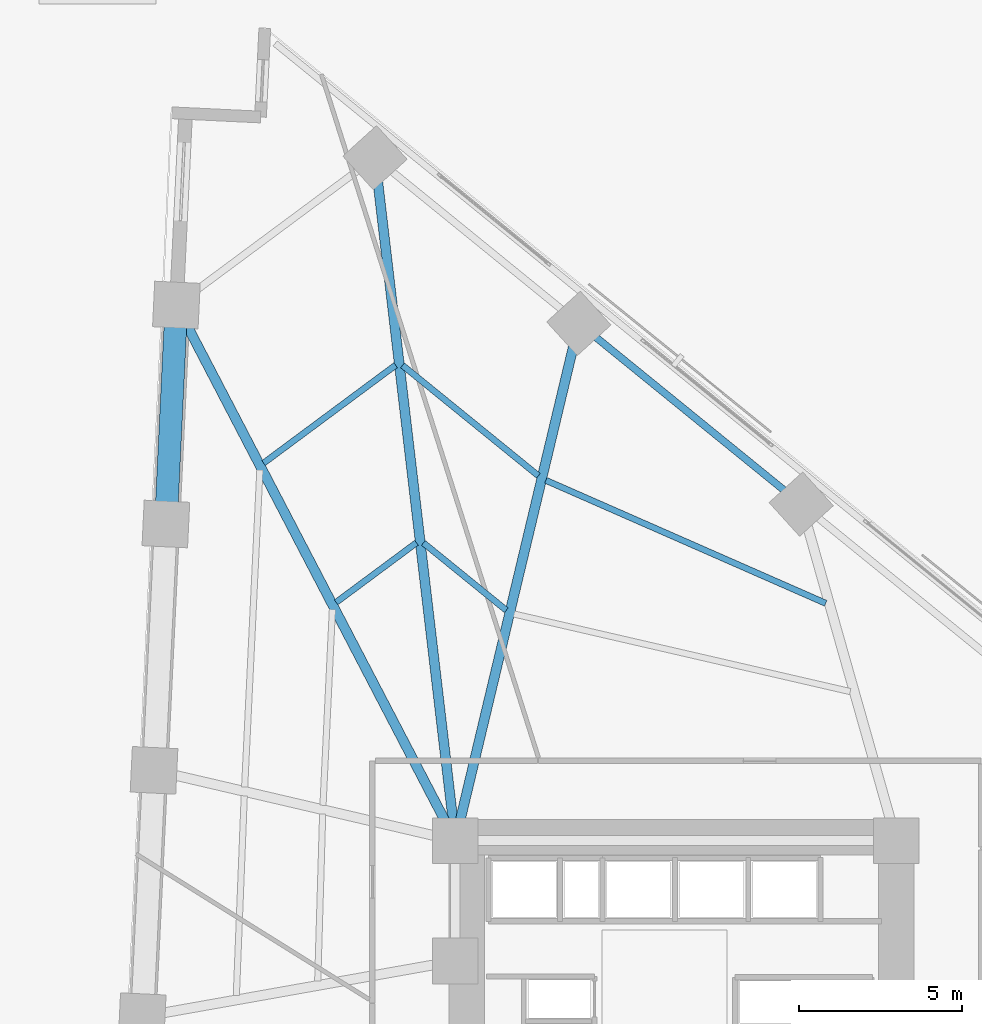
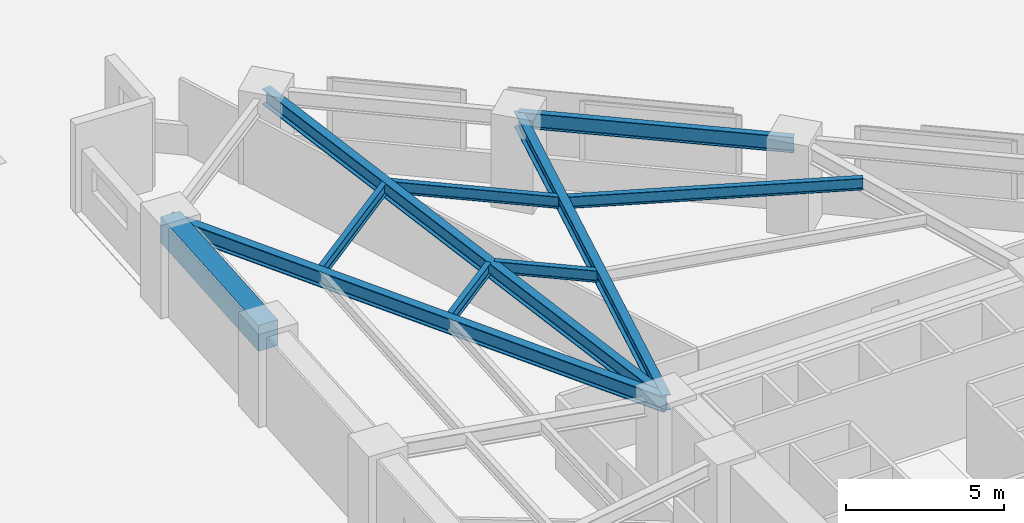
# One storey, part 7 of 19: 10 beams.
"""IFC4 building model written with IfcOpenShell, lengths in metres."""

from ifc_helpers import new_model, si_unit, direction, frame, origin, origin_2d, place, context, subcontext, project, spatial, rectangle, i_section, extrude, material, material_profile, profile_set, type_object, element, save


model = new_model("IFC4")

# Units and contexts
model_context = context("Model", 3, precision=1e-05, world=origin(), true_north=direction((0.0, 1.0)))
body_context = subcontext(model_context, "Body", "Model", "MODEL_VIEW")
ifc_project = project(units=[si_unit("LENGTHUNIT", "METRE"), si_unit("AREAUNIT", "SQUARE_METRE"), si_unit("VOLUMEUNIT", "CUBIC_METRE"), si_unit("PLANEANGLEUNIT", "RADIAN"), si_unit("MASSUNIT", "GRAM", prefix="KILO")], contexts=[model_context])

# Site, building, storey
site_placement = place(None, origin())
site = spatial("IfcSite", under=ifc_project, at=site_placement, CompositionType="ELEMENT")
building_placement = place(site_placement, origin())
building = spatial("IfcBuilding", under=site, at=building_placement, Name="Narakoshi Arena Tower", CompositionType="ELEMENT")
storey_placement = place(building_placement, frame((0.0, 0.0, 26.699951171875)))
storey = spatial("IfcBuildingStorey", under=building, at=storey_placement, Name="L06", CompositionType="ELEMENT", Elevation=26.699951171875)

# Beams
ifc_material_1 = material(Name="Concrete C60/75", Category="concrete")
ifc_material_profile_1 = material_profile(ifc_material_1, rectangle(XDim=0.699951171875, YDim=1.0, at=origin_2d()), Name="RCB700x1000")
ifc_profile_set_1 = profile_set([ifc_material_profile_1], Name="Concrete C60/75")
beam_type_1 = type_object("IfcBeamType", Name="BM-CPL-1000", PredefinedType="BEAM", material=ifc_profile_set_1)
beam_1_placement = place(storey_placement, frame((63.42822265625, 72.95654296875, 2.900146484375), z_axis=(-0.047987034988, -0.998847958637, 0.0), x_axis=(0.998847958637, -0.047987034988, 0.0)))
element("IfcBeam", 1, at=beam_1_placement, inside=storey, type_object=beam_type_1, Name="L06 Perimeter Edge Girder 13", PredefinedType="BEAM", context=body_context, shape_type="SweptSolid", body=[
    extrude(rectangle(XDim=0.699951171875, YDim=1.0, at=origin_2d()), origin(), (0.0, 0.0, 1.0), 6.736083984375),
])
ifc_material_2 = material(Name="Structural steel S355J2", Category="steel")
ifc_material_profile_2 = material_profile(ifc_material_2, i_section(OverallWidth=0.219970703125, OverallDepth=0.60009765625, WebThickness=0.011962890625, FlangeThickness=0.01904296875, FilletRadius=0.02392578125, at=origin_2d()), Name="IPE600")
ifc_profile_set_2 = profile_set([ifc_material_profile_2], Name="Structural steel S355J2")
beam_type_2 = type_object("IfcBeamType", Name="BM-EDGE-600", PredefinedType="BEAM", material=ifc_profile_set_2)
beam_2_placement = place(storey_placement, frame((82.626953125, 66.838623046875, 3.10009765625), z_axis=(-0.775997794165, 0.630735620883, 0.0), x_axis=(-0.630735620883, -0.775997794165, 0.0)))
element("IfcBeam", 2, at=beam_2_placement, inside=storey, type_object=beam_type_2, Name="L06 Perimeter Edge Girder 10", PredefinedType="BEAM", context=body_context, shape_type="SweptSolid", body=[
    extrude(i_section(OverallWidth=0.219970703125, OverallDepth=0.60009765625, WebThickness=0.011962890625, FlangeThickness=0.01904296875, FilletRadius=0.02392578125, at=origin_2d()), origin(), (0.0, 0.0, 1.0), 8.80517578125),
])
ifc_material_profile_3 = material_profile(ifc_material_2, i_section(OverallWidth=0.300048828125, OverallDepth=0.60009765625, WebThickness=0.015380859375, FlangeThickness=0.030029296875, FilletRadius=0.027099609375, at=origin_2d()), Name="HE600B")
ifc_profile_set_3 = profile_set([ifc_material_profile_3], Name="Structural steel S355J2")
beam_type_3 = type_object("IfcBeamType", Name="BM-PRI-600", PredefinedType="BEAM", material=ifc_profile_set_3)
beam_3_placement = place(storey_placement, frame((72.0, 56.5, 3.10009765625), z_axis=(0.23221708245, 0.972663984436, 0.0), x_axis=(-0.972663984436, 0.23221708245, 0.0)))
element("IfcBeam", 3, at=beam_3_placement, inside=storey, type_object=beam_type_3, Name="L06 Radial Primary Floor Girder 11", PredefinedType="BEAM", context=body_context, shape_type="SweptSolid", body=[
    extrude(i_section(OverallWidth=0.300048828125, OverallDepth=0.60009765625, WebThickness=0.015380859375, FlangeThickness=0.030029296875, FilletRadius=0.027099609375, at=origin_2d()), origin(), (0.0, 0.0, 1.0), 16.3388671875),
])
beam_4_placement = place(storey_placement, frame((72.0, 56.5, 3.10009765625), z_axis=(-0.11685934963, 0.993148474501, 0.0), x_axis=(-0.993148474501, -0.11685934963, 0.0)))
element("IfcBeam", 4, at=beam_4_placement, inside=storey, type_object=beam_type_3, Name="L06 Radial Primary Floor Girder 12", PredefinedType="BEAM", context=body_context, shape_type="SweptSolid", body=[
    extrude(i_section(OverallWidth=0.300048828125, OverallDepth=0.60009765625, WebThickness=0.015380859375, FlangeThickness=0.030029296875, FilletRadius=0.027099609375, at=origin_2d()), origin(), (0.0, 0.0, 1.0), 21.1279296875),
])
beam_5_placement = place(storey_placement, frame((72.0, 56.5, 3.10009765625), z_axis=(-0.461962449766, 0.886899484162, 0.0), x_axis=(-0.886899484162, -0.461962449766, 0.0)))
element("IfcBeam", 5, at=beam_5_placement, inside=storey, type_object=beam_type_3, Name="L06 Radial Primary Floor Girder 13", PredefinedType="BEAM", context=body_context, shape_type="SweptSolid", body=[
    extrude(i_section(OverallWidth=0.300048828125, OverallDepth=0.60009765625, WebThickness=0.015380859375, FlangeThickness=0.030029296875, FilletRadius=0.027099609375, at=origin_2d()), origin(), (0.0, 0.0, 1.0), 18.55517578125),
])
ifc_material_profile_4 = material_profile(ifc_material_2, i_section(OverallWidth=0.18994140625, OverallDepth=0.449951171875, WebThickness=0.009521484375, FlangeThickness=0.0146484375, FilletRadius=0.02099609375, at=origin_2d()), Name="IPE450")
ifc_profile_set_4 = profile_set([ifc_material_profile_4], Name="Structural steel S355J2")
beam_type_4 = type_object("IfcBeamType", Name="BM-SEC-450", PredefinedType="JOIST", material=ifc_profile_set_4)
beam_6_placement = place(storey_placement, frame((83.38037109375, 63.79150390625, 3.175048828125), z_axis=(-0.91553294009, 0.402243005669, 0.0), x_axis=(-0.402243005669, -0.91553294009, 0.0)))
element("IfcBeam", 6, at=beam_6_placement, inside=storey, type_object=beam_type_4, Name="L06 Composite Secondary Floor Joist 08", PredefinedType="JOIST", context=body_context, shape_type="SweptSolid", body=[
    extrude(i_section(OverallWidth=0.18994140625, OverallDepth=0.449951171875, WebThickness=0.009521484375, FlangeThickness=0.0146484375, FilletRadius=0.02099609375, at=origin_2d()), origin(), (0.0, 0.0, 1.0), 9.394287109375),
])
beam_7_placement = place(storey_placement, frame((73.564697265625, 63.577880859375, 3.175048828125), z_axis=(-0.77601840583, 0.630710261383, 0.0), x_axis=(-0.630710261383, -0.77601840583, 0.0)))
element("IfcBeam", 7, at=beam_7_placement, inside=storey, type_object=beam_type_4, Name="L06 Composite Secondary Floor Joist 09", PredefinedType="JOIST", context=body_context, shape_type="SweptSolid", body=[
    extrude(i_section(OverallWidth=0.18994140625, OverallDepth=0.449951171875, WebThickness=0.009521484375, FlangeThickness=0.0146484375, FilletRadius=0.02099609375, at=origin_2d()), origin(), (0.0, 0.0, 1.0), 3.28125),
])
beam_8_placement = place(storey_placement, frame((74.55126953125, 67.709716796875, 3.175048828125), z_axis=(-0.775997387035, 0.630736121778, 0.0), x_axis=(-0.630736121778, -0.775997387035, 0.0)))
element("IfcBeam", 8, at=beam_8_placement, inside=storey, type_object=beam_type_4, Name="L06 Composite Secondary Floor Joist 10", PredefinedType="JOIST", context=body_context, shape_type="SweptSolid", body=[
    extrude(i_section(OverallWidth=0.18994140625, OverallDepth=0.449951171875, WebThickness=0.009521484375, FlangeThickness=0.0146484375, FilletRadius=0.02099609375, at=origin_2d()), origin(), (0.0, 0.0, 1.0), 5.3798828125),
])
beam_9_placement = place(storey_placement, frame((70.80517578125, 65.652099609375, 3.175048828125), z_axis=(-0.803172826668, -0.595746095666, 0.0), x_axis=(0.595746095666, -0.803172826668, 0.0)))
element("IfcBeam", 9, at=beam_9_placement, inside=storey, type_object=beam_type_4, Name="L06 Composite Secondary Floor Joist 11", PredefinedType="JOIST", context=body_context, shape_type="SweptSolid", body=[
    extrude(i_section(OverallWidth=0.18994140625, OverallDepth=0.449951171875, WebThickness=0.009521484375, FlangeThickness=0.0146484375, FilletRadius=0.02099609375, at=origin_2d()), origin(), (0.0, 0.0, 1.0), 3.0732421875),
])
beam_10_placement = place(storey_placement, frame((70.163330078125, 71.10791015625, 3.175048828125), z_axis=(-0.803180127116, -0.595736253225, 0.0), x_axis=(0.595736253225, -0.803180127116, 0.0)))
element("IfcBeam", 10, at=beam_10_placement, inside=storey, type_object=beam_type_4, Name="L06 Composite Secondary Floor Joist 12", PredefinedType="JOIST", context=body_context, shape_type="SweptSolid", body=[
    extrude(i_section(OverallWidth=0.18994140625, OverallDepth=0.449951171875, WebThickness=0.009521484375, FlangeThickness=0.0146484375, FilletRadius=0.02099609375, at=origin_2d()), origin(), (0.0, 0.0, 1.0), 5.048828125),
])

save(model, "model.ifc")
